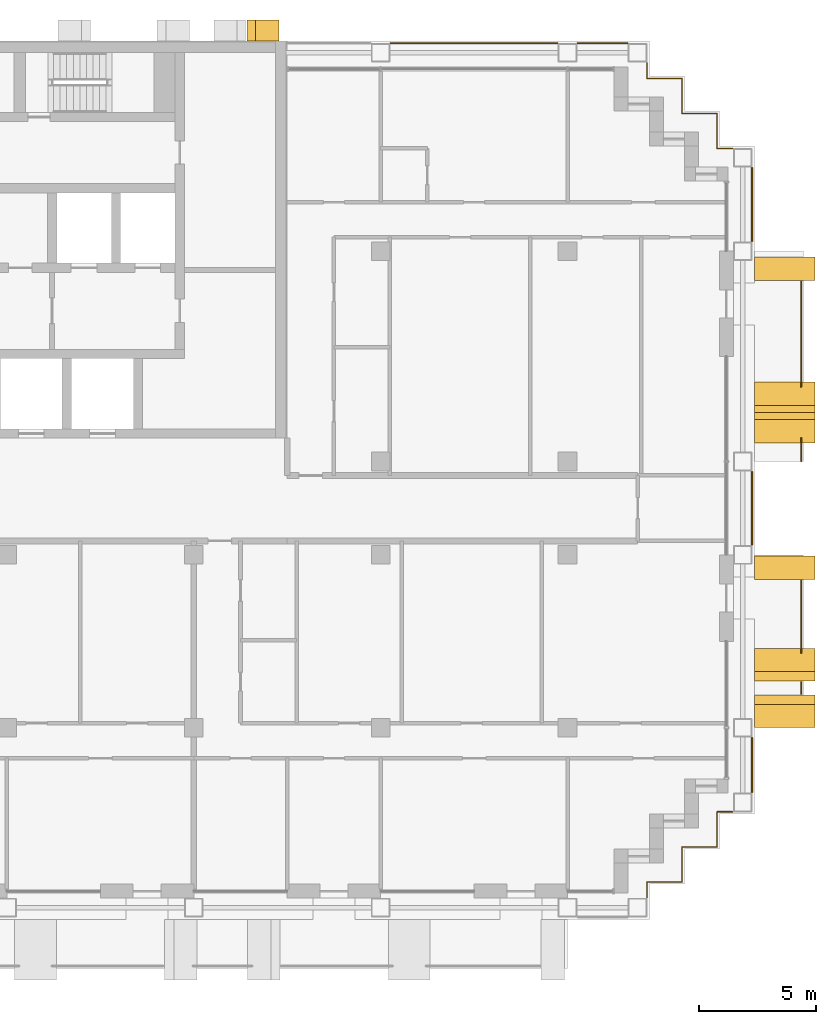
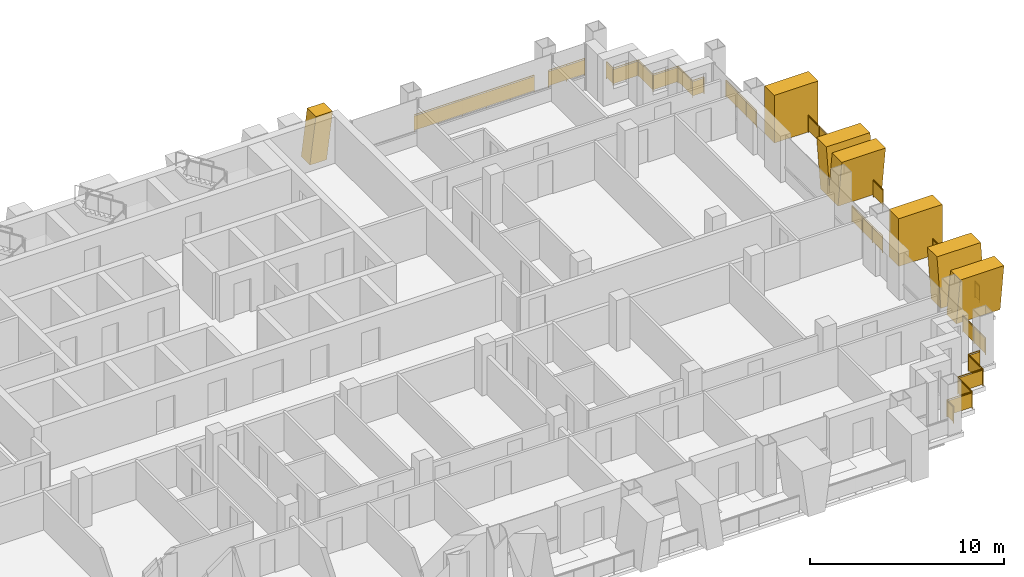
# One storey, part 16 of 16: 11 railings, 6 shading devices.
"""IFC4 building model written with IfcOpenShell, lengths in metres."""

from ifc_helpers import new_model, si_unit, direction, frame, origin, origin_2d, place, context, subcontext, project, spatial, polyline, rectangle, circle, outline, extrude, material, layer, layer_set, type_object, element, save


model = new_model("IFC4")

# Units and contexts
model_context = context("Model", 3, precision=1e-05, world=origin(), true_north=direction((0.0, 1.0)))
body_context = subcontext(model_context, "Body", "Model", "MODEL_VIEW")
ifc_project = project(units=[si_unit("LENGTHUNIT", "METRE"), si_unit("AREAUNIT", "SQUARE_METRE"), si_unit("VOLUMEUNIT", "CUBIC_METRE"), si_unit("PLANEANGLEUNIT", "RADIAN"), si_unit("MASSUNIT", "GRAM", prefix="KILO")], contexts=[model_context])

# Site, building, storey
site_placement = place(None, origin())
site = spatial("IfcSite", under=ifc_project, at=site_placement, CompositionType="ELEMENT")
building_placement = place(site_placement, origin())
building = spatial("IfcBuilding", under=site, at=building_placement, Name="Vidyagriha Tower", CompositionType="ELEMENT")
storey_placement = place(building_placement, frame((0.0, 0.0, 135.800048828125)))
storey = spatial("IfcBuildingStorey", under=building, at=storey_placement, Name="L35", CompositionType="ELEMENT", Elevation=135.800048828125)

# Railings
ifc_material_1 = material(Name="Steel ASTM A500 Grade C black painted", Category="steel")
railing_type_1 = type_object("IfcRailingType", Name="Balcony guard 1100", PredefinedType="BALUSTRADE", material=ifc_material_1)
railing_1_placement = place(storey_placement, frame((36.0, -7.949951171875, 0.0)))
element("IfcRailing", 1, at=railing_1_placement, inside=storey, type_object=railing_type_1, Name="Balcony guard L35 R30.1-1", PredefinedType="BALUSTRADE", context=body_context, shape_type="SweptSolid", body=[
    extrude(circle(Radius=0.02490234375, at=origin_2d()), frame((0.0, 0.0, 1.0751953125), z_axis=(0.0, 1.0, 0.0), x_axis=(-1.0, 0.0, 0.0)), (0.0, 0.0, 1.0), 0.5),
    extrude(circle(Radius=0.02001953125, at=origin_2d()), origin(), (0.0, 0.0, 1.0), 1.050048828125),
    extrude(circle(Radius=0.02001953125, at=origin_2d()), frame((0.0, 0.5, 0.0)), (0.0, 0.0, 1.0), 1.050048828125),
    extrude(rectangle(XDim=0.010009765625, YDim=0.900146484375, at=origin_2d()), frame((0.0, 0.0, 0.550048828125), z_axis=(0.0, 1.0, 0.0), x_axis=(-1.0, 0.0, 0.0)), (0.0, 0.0, 1.0), 0.5),
])
railing_2_placement = place(storey_placement, frame((36.0, -6.19677734375, 0.0)))
element("IfcRailing", 2, at=railing_2_placement, inside=storey, type_object=railing_type_1, Name="Balcony guard L35 R30.1-2", PredefinedType="BALUSTRADE", context=body_context, shape_type="SweptSolid", body=[
    extrude(circle(Radius=0.02490234375, at=origin_2d()), frame((0.0, 0.0, 1.0751953125), z_axis=(0.0, 1.0, 0.0), x_axis=(-1.0, 0.0, 0.0)), (0.0, 0.0, 1.0), 3.0966796875),
    extrude(circle(Radius=0.02001953125, at=origin_2d()), origin(), (0.0, 0.0, 1.0), 1.050048828125),
    extrude(circle(Radius=0.02001953125, at=origin_2d()), frame((0.0, 1.0322265625, 0.0)), (0.0, 0.0, 1.0), 1.050048828125),
    extrude(circle(Radius=0.02001953125, at=origin_2d()), frame((0.0, 2.064453125, 0.0)), (0.0, 0.0, 1.0), 1.050048828125),
    extrude(circle(Radius=0.02001953125, at=origin_2d()), frame((0.0, 3.0966796875, 0.0)), (0.0, 0.0, 1.0), 1.050048828125),
    extrude(rectangle(XDim=0.010009765625, YDim=0.900146484375, at=origin_2d()), frame((0.0, 0.0, 0.550048828125), z_axis=(0.0, 1.0, 0.0), x_axis=(-1.0, 0.0, 0.0)), (0.0, 0.0, 1.0), 3.0966796875),
])
railing_3_placement = place(storey_placement, frame((36.0, 2.0, 0.0)))
element("IfcRailing", 3, at=railing_3_placement, inside=storey, type_object=railing_type_1, Name="Balcony guard L35 R30.2-1", PredefinedType="BALUSTRADE", context=body_context, shape_type="SweptSolid", body=[
    extrude(circle(Radius=0.02490234375, at=origin_2d()), frame((0.0, 0.0, 1.0751953125), z_axis=(0.0, 1.0, 0.0), x_axis=(-1.0, 0.0, 0.0)), (0.0, 0.0, 1.0), 0.99658203125),
    extrude(circle(Radius=0.02001953125, at=origin_2d()), origin(), (0.0, 0.0, 1.0), 1.050048828125),
    extrude(circle(Radius=0.02001953125, at=origin_2d()), frame((0.0, 0.99658203125, 0.0)), (0.0, 0.0, 1.0), 1.050048828125),
    extrude(rectangle(XDim=0.010009765625, YDim=0.900146484375, at=origin_2d()), frame((0.0, 0.0, 0.550048828125), z_axis=(0.0, 1.0, 0.0), x_axis=(-1.0, 0.0, 0.0)), (0.0, 0.0, 1.0), 0.99658203125),
])
railing_4_placement = place(storey_placement, frame((36.0, 5.203369140625, 0.0)))
element("IfcRailing", 4, at=railing_4_placement, inside=storey, type_object=railing_type_1, Name="Balcony guard L35 R30.2-2", PredefinedType="BALUSTRADE", context=body_context, shape_type="SweptSolid", body=[
    extrude(circle(Radius=0.02490234375, at=origin_2d()), frame((0.0, 0.0, 1.0751953125), z_axis=(0.0, 1.0, 0.0), x_axis=(-1.0, 0.0, 0.0)), (0.0, 0.0, 1.0), 4.49658203125),
    extrude(circle(Radius=0.02001953125, at=origin_2d()), origin(), (0.0, 0.0, 1.0), 1.050048828125),
    extrude(circle(Radius=0.02001953125, at=origin_2d()), frame((0.0, 1.1240234375, 0.0)), (0.0, 0.0, 1.0), 1.050048828125),
    extrude(circle(Radius=0.02001953125, at=origin_2d()), frame((0.0, 2.248291015625, 0.0)), (0.0, 0.0, 1.0), 1.050048828125),
    extrude(circle(Radius=0.02001953125, at=origin_2d()), frame((0.0, 3.37255859375, 0.0)), (0.0, 0.0, 1.0), 1.050048828125),
    extrude(circle(Radius=0.02001953125, at=origin_2d()), frame((0.0, 4.49658203125, 0.0)), (0.0, 0.0, 1.0), 1.050048828125),
    extrude(rectangle(XDim=0.010009765625, YDim=0.900146484375, at=origin_2d()), frame((0.0, 0.0, 0.550048828125), z_axis=(0.0, 1.0, 0.0), x_axis=(-1.0, 0.0, 0.0)), (0.0, 0.0, 1.0), 4.49658203125),
])

# Shading devices
ifc_material_2 = material(Name="Precast concrete C40/50 with buff brick facing", Category="concrete")
ifc_layer_1 = layer(ifc_material_2, 1.0)
ifc_layer_set_1 = layer_set([ifc_layer_1], Name="Precast concrete C40/50 with buff brick facing")
shading_device_type_1 = type_object("IfcShadingDeviceType", Name="Brick-faced blade fin arm leaning 8 degrees", PredefinedType="USERDEFINED", material=ifc_layer_set_1)
shading_device_1_placement = place(storey_placement, frame((35.300048828125, -7.39990234375, 0.0), z_axis=(0.0, 0.0, 1.0), x_axis=(0.0, 1.0, 0.0)))
element("IfcShadingDevice", 5, at=shading_device_1_placement, inside=storey, type_object=shading_device_type_1, Name="Leaning blade fin L35 R30.220a", ObjectType="BLADE FIN", PredefinedType="USERDEFINED", context=body_context, shape_type="SweptSolid", body=[
    extrude(outline(polyline([(0.0, 0.0), (1.0, 0.0), (1.39990234375, 3.0), (0.39990234375, 3.0), (0.0, 0.0)])), frame((0.0, 1.300048828125, 0.0), z_axis=(0.0, -1.0, 0.0), x_axis=(1.0, 0.0, 0.0)), (0.0, 0.0, 1.0), 2.60009765625),
])
shading_device_2_placement = place(storey_placement, frame((35.300048828125, -9.39990234375, 0.0), z_axis=(0.0, 0.0, 1.0), x_axis=(0.0, 1.0, 0.0)))
element("IfcShadingDevice", 6, at=shading_device_2_placement, inside=storey, type_object=shading_device_type_1, Name="Leaning blade fin L35 R30.220b", ObjectType="BLADE FIN", PredefinedType="USERDEFINED", context=body_context, shape_type="SweptSolid", body=[
    extrude(outline(polyline([(0.39990234375, 0.0), (1.39990234375, 0.0), (1.0, 3.0), (0.0, 3.0), (0.39990234375, 0.0)])), frame((0.0, 1.300048828125, 0.0), z_axis=(0.0, -1.0, 0.0), x_axis=(1.0, 0.0, 0.0)), (0.0, 0.0, 1.0), 2.60009765625),
])
ifc_material_3 = material(Name="Precast concrete C40/50 with buff brick facing", Category="concrete")
ifc_layer_2 = layer(ifc_material_3, 1.0)
ifc_layer_set_2 = layer_set([ifc_layer_2], Name="Precast concrete C40/50 with buff brick facing")
shading_device_type_2 = type_object("IfcShadingDeviceType", Name="Brick-faced blade fin forking 8 degrees", PredefinedType="USERDEFINED", material=ifc_layer_set_2)
shading_device_3_placement = place(storey_placement, frame((35.300048828125, 2.800048828125, 0.0), z_axis=(0.0, 0.0, 1.0), x_axis=(0.0, 1.0, 0.0)))
element("IfcShadingDevice", 7, at=shading_device_3_placement, inside=storey, type_object=shading_device_type_2, Name="Forked blade fin L35 R30.1360a", ObjectType="BLADE FIN", PredefinedType="USERDEFINED", context=body_context, shape_type="SweptSolid", body=[
    extrude(outline(polyline([(0.39990234375, 0.0), (2.199951171875, 0.0), (2.60009765625, 3.0), (1.60009765625, 3.0), (1.300048828125, 0.75), (1.0, 3.0), (0.0, 3.0), (0.39990234375, 0.0)])), frame((0.0, 1.300048828125, 0.0), z_axis=(0.0, -1.0, 0.0), x_axis=(1.0, 0.0, 0.0)), (0.0, 0.0, 1.0), 2.60009765625),
])
ifc_material_4 = material(Name="Precast concrete C40/50 with buff brick facing", Category="concrete")
ifc_layer_3 = layer(ifc_material_4, 1.0)
ifc_layer_set_3 = layer_set([ifc_layer_3], Name="Precast concrete C40/50 with buff brick facing")
shading_device_type_3 = type_object("IfcShadingDeviceType", Name="Brick-faced blade fin stem 1000", PredefinedType="USERDEFINED", material=ifc_layer_set_3)
for number, where, z_axis, x_axis, name in (
    (8, (35.300048828125, -3.050048828125, 0.0), (0.0, 0.0, 1.0), (0.0, 1.0, 0.0), "Stem blade fin L35 R30.960a"),
    (9, (35.300048828125, 9.75, 0.0), (0.0, 0.0, 1.0), (0.0, 1.0, 0.0), "Stem blade fin L35 R30.2260a"),
):
    element("IfcShadingDevice", number, at=place(storey_placement, frame(where, z_axis=z_axis, x_axis=x_axis)), inside=storey, type_object=shading_device_type_3, Name=name, ObjectType="BLADE FIN", PredefinedType="USERDEFINED", context=body_context, shape_type="SweptSolid", body=[
        extrude(outline(polyline([(0.0, 0.0), (1.0, 0.0), (1.0, 3.0), (0.0, 3.0), (0.0, 0.0)])), frame((0.0, 1.300048828125, 0.0), z_axis=(0.0, -1.0, 0.0), x_axis=(1.0, 0.0, 0.0)), (0.0, 0.0, 1.0), 2.60009765625),
    ])
ifc_material_5 = material(Name="Precast concrete C40/50 with brick facing", Category="concrete")
ifc_layer_4 = layer(ifc_material_5, 1.0)
ifc_layer_set_4 = layer_set([ifc_layer_4], Name="Precast concrete C40/50 with brick facing")
shading_device_type_4 = type_object("IfcShadingDeviceType", Name="Brick-faced rear rib arm leaning 8 degrees", PredefinedType="USERDEFINED", material=ifc_layer_set_4)
shading_device_4_placement = place(storey_placement, frame((13.642822265625, 20.449951171875, 0.0), z_axis=(0.0, 0.0, 1.0), x_axis=(-1.0, 0.0, 0.0)))
element("IfcShadingDevice", 10, at=shading_device_4_placement, inside=storey, type_object=shading_device_type_4, Name="Rear rib arm L35 R08.1b", ObjectType="BLADE FIN", PredefinedType="USERDEFINED", context=body_context, shape_type="SweptSolid", body=[
    extrude(outline(polyline([(0.357177734375, 0.0), (1.357177734375, 0.0), (1.0, 2.919921875), (0.0, 2.919921875), (0.357177734375, 0.0)])), frame((0.0, 0.449951171875, 0.0), z_axis=(0.0, -1.0, 0.0), x_axis=(1.0, 0.0, 0.0)), (0.0, 0.0, 1.0), 0.89990234375),
])

# Railings
ifc_material_6 = material(Name="Steel ASTM A500 Grade C black painted", Category="steel")
railing_type_2 = type_object("IfcRailingType", Name="Gallery guard 1100", PredefinedType="GUARDRAIL", material=ifc_material_6)
railing_5_placement = place(storey_placement, frame((18.429931640625, 19.89990234375, 0.0)))
element("IfcRailing", 11, at=railing_5_placement, inside=storey, type_object=railing_type_2, Name="Gallery guard L35 10", PredefinedType="GUARDRAIL", context=body_context, shape_type="SweptSolid", body=[
    extrude(circle(Radius=0.02490234375, at=origin_2d()), frame((0.0, 0.0, 1.0751953125), z_axis=(1.0, 0.0, 0.0), x_axis=(0.0, 1.0, 0.0)), (0.0, 0.0, 1.0), 7.14013671875),
    extrude(circle(Radius=0.02001953125, at=origin_2d()), origin(), (0.0, 0.0, 1.0), 1.050048828125),
    extrude(circle(Radius=0.02001953125, at=origin_2d()), frame((1.427978515625, 0.0, 0.0)), (0.0, 0.0, 1.0), 1.050048828125),
    extrude(circle(Radius=0.02001953125, at=origin_2d()), frame((2.85595703125, 0.0, 0.0)), (0.0, 0.0, 1.0), 1.050048828125),
    extrude(circle(Radius=0.02001953125, at=origin_2d()), frame((4.2841796875, 0.0, 0.0)), (0.0, 0.0, 1.0), 1.050048828125),
    extrude(circle(Radius=0.02001953125, at=origin_2d()), frame((5.712158203125, 0.0, 0.0)), (0.0, 0.0, 1.0), 1.050048828125),
    extrude(circle(Radius=0.02001953125, at=origin_2d()), frame((7.14013671875, 0.0, 0.0)), (0.0, 0.0, 1.0), 1.050048828125),
    extrude(rectangle(XDim=0.010009765625, YDim=0.900146484375, at=origin_2d()), frame((0.0, 0.0, 0.550048828125), z_axis=(1.0, 0.0, 0.0), x_axis=(0.0, 1.0, 0.0)), (0.0, 0.0, 1.0), 7.14013671875),
])
railing_6_placement = place(storey_placement, frame((26.429931640625, 19.89990234375, 0.0)))
element("IfcRailing", 12, at=railing_6_placement, inside=storey, type_object=railing_type_2, Name="Gallery guard L35 12", PredefinedType="GUARDRAIL", context=body_context, shape_type="SweptSolid", body=[
    extrude(circle(Radius=0.02490234375, at=origin_2d()), frame((0.0, 0.0, 1.0751953125), z_axis=(1.0, 0.0, 0.0), x_axis=(0.0, 1.0, 0.0)), (0.0, 0.0, 1.0), 2.14013671875),
    extrude(circle(Radius=0.02001953125, at=origin_2d()), origin(), (0.0, 0.0, 1.0), 1.050048828125),
    extrude(circle(Radius=0.02001953125, at=origin_2d()), frame((1.070068359375, 0.0, 0.0)), (0.0, 0.0, 1.0), 1.050048828125),
    extrude(circle(Radius=0.02001953125, at=origin_2d()), frame((2.14013671875, 0.0, 0.0)), (0.0, 0.0, 1.0), 1.050048828125),
    extrude(rectangle(XDim=0.010009765625, YDim=0.900146484375, at=origin_2d()), frame((0.0, 0.0, 0.550048828125), z_axis=(1.0, 0.0, 0.0), x_axis=(0.0, 1.0, 0.0)), (0.0, 0.0, 1.0), 2.14013671875),
])
railing_7_placement = place(storey_placement, frame((33.070068359375, -13.0, 0.0)))
element("IfcRailing", 13, at=railing_7_placement, inside=storey, type_object=railing_type_2, Name="Gallery guard L35 13", PredefinedType="GUARDRAIL", context=body_context, shape_type="SweptSolid", body=[
    extrude(circle(Radius=0.02490234375, at=origin_2d()), frame((0.0, 0.0, 1.0751953125), z_axis=(-1.0, 0.0, 0.0), x_axis=(0.0, -1.0, 0.0)), (0.0, 0.0, 1.0), 0.670166015625),
    extrude(circle(Radius=0.02490234375, at=origin_2d()), frame((-0.670166015625, 0.0, 1.0751953125), z_axis=(0.0, -1.0, 0.0), x_axis=(1.0, 0.0, 0.0)), (0.0, 0.0, 1.0), 1.5),
    extrude(circle(Radius=0.02490234375, at=origin_2d()), frame((-0.670166015625, -1.5, 1.0751953125), z_axis=(-1.0, 0.0, 0.0), x_axis=(0.0, -1.0, 0.0)), (0.0, 0.0, 1.0), 1.5),
    extrude(circle(Radius=0.02490234375, at=origin_2d()), frame((-2.170166015625, -1.5, 1.0751953125), z_axis=(0.0, -1.0, 0.0), x_axis=(1.0, 0.0, 0.0)), (0.0, 0.0, 1.0), 1.5),
    extrude(circle(Radius=0.02490234375, at=origin_2d()), frame((-2.170166015625, -3.0, 1.0751953125), z_axis=(-1.0, 0.0, 0.0), x_axis=(0.0, -1.0, 0.0)), (0.0, 0.0, 1.0), 1.5),
    extrude(circle(Radius=0.02490234375, at=origin_2d()), frame((-3.670166015625, -3.0, 1.0751953125), z_axis=(0.0, -1.0, 0.0), x_axis=(1.0, 0.0, 0.0)), (0.0, 0.0, 1.0), 0.669921875),
    extrude(circle(Radius=0.02001953125, at=origin_2d()), origin(), (0.0, 0.0, 1.0), 1.050048828125),
    extrude(circle(Radius=0.02001953125, at=origin_2d()), frame((-0.670166015625, 0.0, 0.0)), (0.0, 0.0, 1.0), 1.050048828125),
    extrude(circle(Radius=0.02001953125, at=origin_2d()), frame((-0.670166015625, -1.5, 0.0)), (0.0, 0.0, 1.0), 1.050048828125),
    extrude(circle(Radius=0.02001953125, at=origin_2d()), frame((-2.170166015625, -1.5, 0.0)), (0.0, 0.0, 1.0), 1.050048828125),
    extrude(circle(Radius=0.02001953125, at=origin_2d()), frame((-2.170166015625, -3.0, 0.0)), (0.0, 0.0, 1.0), 1.050048828125),
    extrude(circle(Radius=0.02001953125, at=origin_2d()), frame((-3.670166015625, -3.0, 0.0)), (0.0, 0.0, 1.0), 1.050048828125),
    extrude(circle(Radius=0.02001953125, at=origin_2d()), frame((-3.670166015625, -3.669921875, 0.0)), (0.0, 0.0, 1.0), 1.050048828125),
    extrude(rectangle(XDim=0.010009765625, YDim=0.900146484375, at=origin_2d()), frame((0.0, 0.0, 0.550048828125), z_axis=(-1.0, 0.0, 0.0), x_axis=(0.0, -1.0, 0.0)), (0.0, 0.0, 1.0), 0.670166015625),
    extrude(rectangle(XDim=0.010009765625, YDim=0.900146484375, at=origin_2d()), frame((-0.670166015625, 0.0, 0.550048828125), z_axis=(0.0, -1.0, 0.0), x_axis=(1.0, 0.0, 0.0)), (0.0, 0.0, 1.0), 1.5),
    extrude(rectangle(XDim=0.010009765625, YDim=0.900146484375, at=origin_2d()), frame((-0.670166015625, -1.5, 0.550048828125), z_axis=(-1.0, 0.0, 0.0), x_axis=(0.0, -1.0, 0.0)), (0.0, 0.0, 1.0), 1.5),
    extrude(rectangle(XDim=0.010009765625, YDim=0.900146484375, at=origin_2d()), frame((-2.170166015625, -1.5, 0.550048828125), z_axis=(0.0, -1.0, 0.0), x_axis=(1.0, 0.0, 0.0)), (0.0, 0.0, 1.0), 1.5),
    extrude(rectangle(XDim=0.010009765625, YDim=0.900146484375, at=origin_2d()), frame((-2.170166015625, -3.0, 0.550048828125), z_axis=(-1.0, 0.0, 0.0), x_axis=(0.0, -1.0, 0.0)), (0.0, 0.0, 1.0), 1.5),
    extrude(rectangle(XDim=0.010009765625, YDim=0.900146484375, at=origin_2d()), frame((-3.670166015625, -3.0, 0.550048828125), z_axis=(0.0, -1.0, 0.0), x_axis=(1.0, 0.0, 0.0)), (0.0, 0.0, 1.0), 0.669921875),
])
railing_8_placement = place(storey_placement, frame((29.39990234375, 19.070068359375, 0.0)))
element("IfcRailing", 14, at=railing_8_placement, inside=storey, type_object=railing_type_2, Name="Gallery guard L35 14", PredefinedType="GUARDRAIL", context=body_context, shape_type="SweptSolid", body=[
    extrude(circle(Radius=0.02490234375, at=origin_2d()), frame((0.0, 0.0, 1.0751953125), z_axis=(0.0, -1.0, 0.0), x_axis=(1.0, 0.0, 0.0)), (0.0, 0.0, 1.0), 0.670166015625),
    extrude(circle(Radius=0.02490234375, at=origin_2d()), frame((0.0, -0.670166015625, 1.0751953125), z_axis=(1.0, 0.0, 0.0), x_axis=(0.0, 1.0, 0.0)), (0.0, 0.0, 1.0), 1.5),
    extrude(circle(Radius=0.02490234375, at=origin_2d()), frame((1.5, -0.670166015625, 1.0751953125), z_axis=(0.0, -1.0, 0.0), x_axis=(1.0, 0.0, 0.0)), (0.0, 0.0, 1.0), 1.5),
    extrude(circle(Radius=0.02490234375, at=origin_2d()), frame((1.5, -2.170166015625, 1.0751953125), z_axis=(1.0, 0.0, 0.0), x_axis=(0.0, 1.0, 0.0)), (0.0, 0.0, 1.0), 1.5),
    extrude(circle(Radius=0.02490234375, at=origin_2d()), frame((3.0, -2.170166015625, 1.0751953125), z_axis=(0.0, -1.0, 0.0), x_axis=(1.0, 0.0, 0.0)), (0.0, 0.0, 1.0), 1.5),
    extrude(circle(Radius=0.02490234375, at=origin_2d()), frame((3.0, -3.670166015625, 1.0751953125), z_axis=(1.0, 0.0, 0.0), x_axis=(0.0, 1.0, 0.0)), (0.0, 0.0, 1.0), 0.670166015625),
    extrude(circle(Radius=0.02001953125, at=origin_2d()), origin(), (0.0, 0.0, 1.0), 1.050048828125),
    extrude(circle(Radius=0.02001953125, at=origin_2d()), frame((0.0, -0.670166015625, 0.0)), (0.0, 0.0, 1.0), 1.050048828125),
    extrude(circle(Radius=0.02001953125, at=origin_2d()), frame((1.5, -0.670166015625, 0.0)), (0.0, 0.0, 1.0), 1.050048828125),
    extrude(circle(Radius=0.02001953125, at=origin_2d()), frame((1.5, -2.170166015625, 0.0)), (0.0, 0.0, 1.0), 1.050048828125),
    extrude(circle(Radius=0.02001953125, at=origin_2d()), frame((3.0, -2.170166015625, 0.0)), (0.0, 0.0, 1.0), 1.050048828125),
    extrude(circle(Radius=0.02001953125, at=origin_2d()), frame((3.0, -3.670166015625, 0.0)), (0.0, 0.0, 1.0), 1.050048828125),
    extrude(circle(Radius=0.02001953125, at=origin_2d()), frame((3.670166015625, -3.670166015625, 0.0)), (0.0, 0.0, 1.0), 1.050048828125),
    extrude(rectangle(XDim=0.010009765625, YDim=0.900146484375, at=origin_2d()), frame((0.0, 0.0, 0.550048828125), z_axis=(0.0, -1.0, 0.0), x_axis=(1.0, 0.0, 0.0)), (0.0, 0.0, 1.0), 0.670166015625),
    extrude(rectangle(XDim=0.010009765625, YDim=0.900146484375, at=origin_2d()), frame((0.0, -0.670166015625, 0.550048828125), z_axis=(1.0, 0.0, 0.0), x_axis=(0.0, 1.0, 0.0)), (0.0, 0.0, 1.0), 1.5),
    extrude(rectangle(XDim=0.010009765625, YDim=0.900146484375, at=origin_2d()), frame((1.5, -0.670166015625, 0.550048828125), z_axis=(0.0, -1.0, 0.0), x_axis=(1.0, 0.0, 0.0)), (0.0, 0.0, 1.0), 1.5),
    extrude(rectangle(XDim=0.010009765625, YDim=0.900146484375, at=origin_2d()), frame((1.5, -2.170166015625, 0.550048828125), z_axis=(1.0, 0.0, 0.0), x_axis=(0.0, 1.0, 0.0)), (0.0, 0.0, 1.0), 1.5),
    extrude(rectangle(XDim=0.010009765625, YDim=0.900146484375, at=origin_2d()), frame((3.0, -2.170166015625, 0.550048828125), z_axis=(0.0, -1.0, 0.0), x_axis=(1.0, 0.0, 0.0)), (0.0, 0.0, 1.0), 1.5),
    extrude(rectangle(XDim=0.010009765625, YDim=0.900146484375, at=origin_2d()), frame((3.0, -3.670166015625, 0.550048828125), z_axis=(1.0, 0.0, 0.0), x_axis=(0.0, 1.0, 0.0)), (0.0, 0.0, 1.0), 0.670166015625),
])
railing_9_placement = place(storey_placement, frame((33.89990234375, -9.830078125, 0.0)))
element("IfcRailing", 15, at=railing_9_placement, inside=storey, type_object=railing_type_2, Name="Gallery guard L35 15", PredefinedType="GUARDRAIL", context=body_context, shape_type="SweptSolid", body=[
    extrude(circle(Radius=0.02490234375, at=origin_2d()), frame((0.0, 0.0, 1.0751953125), z_axis=(0.0, -1.0, 0.0), x_axis=(1.0, 0.0, 0.0)), (0.0, 0.0, 1.0), 2.33984375),
    extrude(circle(Radius=0.02001953125, at=origin_2d()), origin(), (0.0, 0.0, 1.0), 1.050048828125),
    extrude(circle(Radius=0.02001953125, at=origin_2d()), frame((0.0, -1.169921875, 0.0)), (0.0, 0.0, 1.0), 1.050048828125),
    extrude(circle(Radius=0.02001953125, at=origin_2d()), frame((0.0, -2.33984375, 0.0)), (0.0, 0.0, 1.0), 1.050048828125),
    extrude(rectangle(XDim=0.010009765625, YDim=0.900146484375, at=origin_2d()), frame((0.0, 0.0, 0.550048828125), z_axis=(0.0, -1.0, 0.0), x_axis=(1.0, 0.0, 0.0)), (0.0, 0.0, 1.0), 2.33984375),
])
for number, where, name in (
    (16, (33.89990234375, 1.570068359375, 0.0), "Gallery guard L35 16"),
    (17, (33.89990234375, 14.570068359375, 0.0), "Gallery guard L35 17"),
):
    element("IfcRailing", number, at=place(storey_placement, frame(where)), inside=storey, type_object=railing_type_2, Name=name, PredefinedType="GUARDRAIL", context=body_context, shape_type="SweptSolid", body=[
        extrude(circle(Radius=0.02490234375, at=origin_2d()), frame((0.0, 0.0, 1.0751953125), z_axis=(0.0, -1.0, 0.0), x_axis=(1.0, 0.0, 0.0)), (0.0, 0.0, 1.0), 3.14013671875),
        extrude(circle(Radius=0.02001953125, at=origin_2d()), origin(), (0.0, 0.0, 1.0), 1.050048828125),
        extrude(circle(Radius=0.02001953125, at=origin_2d()), frame((0.0, -1.046630859375, 0.0)), (0.0, 0.0, 1.0), 1.050048828125),
        extrude(circle(Radius=0.02001953125, at=origin_2d()), frame((0.0, -2.093505859375, 0.0)), (0.0, 0.0, 1.0), 1.050048828125),
        extrude(circle(Radius=0.02001953125, at=origin_2d()), frame((0.0, -3.14013671875, 0.0)), (0.0, 0.0, 1.0), 1.050048828125),
        extrude(rectangle(XDim=0.010009765625, YDim=0.900146484375, at=origin_2d()), frame((0.0, 0.0, 0.550048828125), z_axis=(0.0, -1.0, 0.0), x_axis=(1.0, 0.0, 0.0)), (0.0, 0.0, 1.0), 3.14013671875),
    ])

save(model, "model.ifc")
